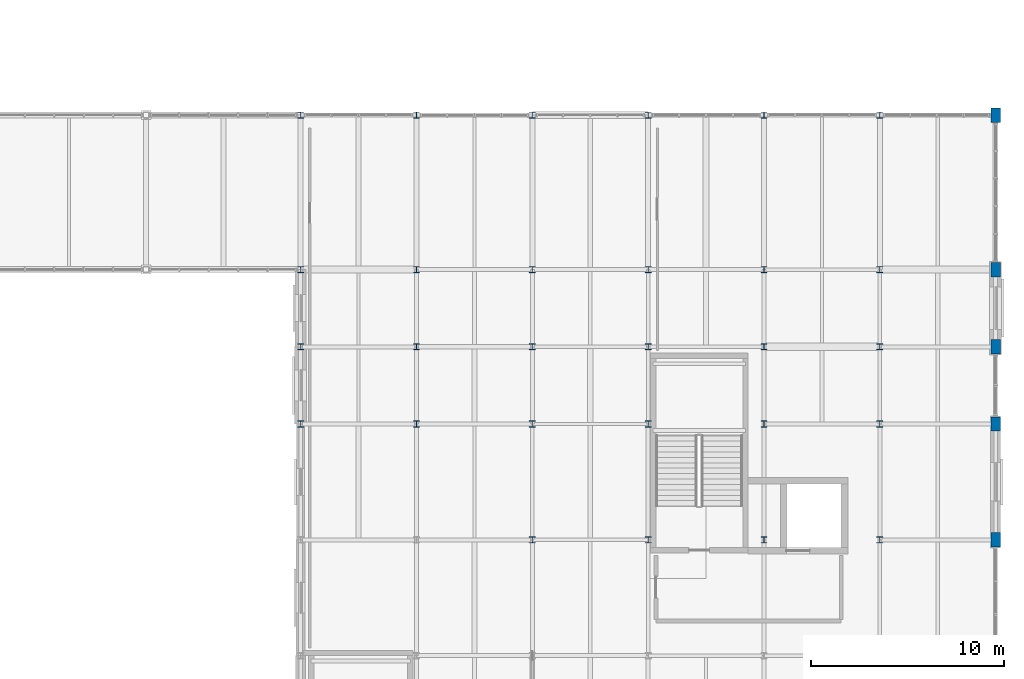
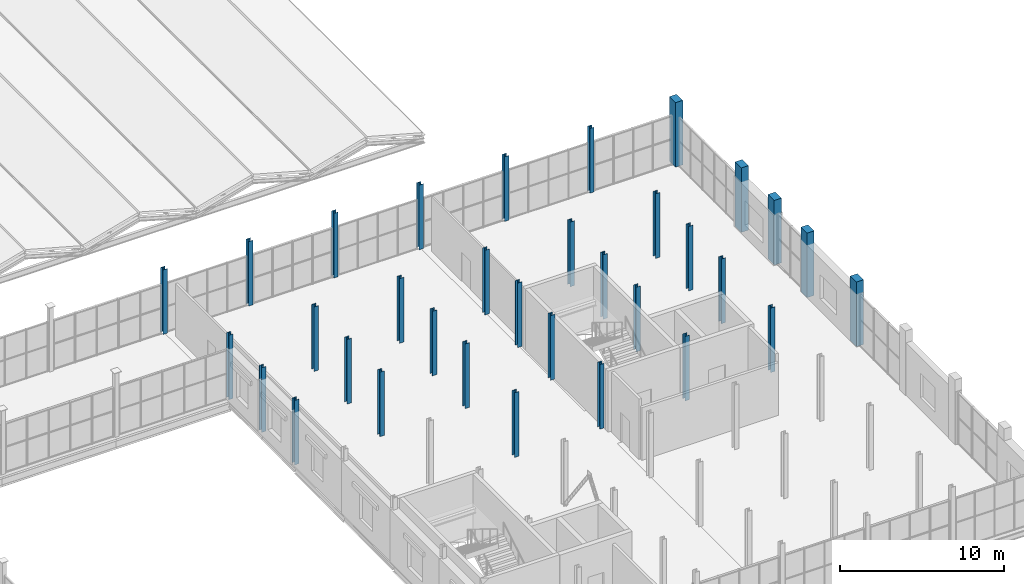
# One storey, part 11 of 114: 33 columns.
"""IFC4 building model written with IfcOpenShell, lengths in metres."""

from ifc_helpers import new_model, si_unit, direction, frame, origin, origin_2d, place, context, subcontext, project, spatial, rectangle, i_section, extrude, material, material_profile, profile_set, type_object, element, save


model = new_model("IFC4")

# Units and contexts
model_context = context("Model", 3, precision=1e-05, world=origin(), true_north=direction((0.0, 1.0)))
body_context = subcontext(model_context, "Body", "Model", "MODEL_VIEW")
ifc_project = project(units=[si_unit("LENGTHUNIT", "METRE"), si_unit("AREAUNIT", "SQUARE_METRE"), si_unit("VOLUMEUNIT", "CUBIC_METRE"), si_unit("PLANEANGLEUNIT", "RADIAN"), si_unit("MASSUNIT", "GRAM", prefix="KILO")], contexts=[model_context])

# Site, building, storey
site_placement = place(None, origin())
site = spatial("IfcSite", under=ifc_project, at=site_placement, CompositionType="ELEMENT")
building_placement = place(site_placement, origin())
building = spatial("IfcBuilding", under=site, at=building_placement, Name="Verrall Gate Interchange", CompositionType="ELEMENT")
storey_placement = place(building_placement, frame((0.0, 0.0, 6.60009765625)))
storey = spatial("IfcBuildingStorey", under=building, at=storey_placement, Name="L02", CompositionType="ELEMENT", Elevation=6.60009765625)

# Columns
ifc_material_1 = material(Name="Concrete CSA A23.1 40 MPa (Class C-1)", Category="concrete")
ifc_material_profile_1 = material_profile(ifc_material_1, rectangle(XDim=0.5, YDim=0.75, at=origin_2d()), Name="RC500x750")
ifc_profile_set_1 = profile_set([ifc_material_profile_1], Name="Concrete CSA A23.1 40 MPa (Class C-1)")
column_type_1 = type_object("IfcColumnType", Name="C-05 Pilaster RC500x750", PredefinedType="PILASTER", material=ifc_profile_set_1)
for number, where, z_axis, x_axis, name in (
    (1, (168.0, 34.0, 0.0), (0.0, 0.0, 1.0), (1.0, 0.0, 0.0), "L02 Column COL-L02-1491 (C-05)"),
    (2, (168.0, 40.0, 0.0), (0.0, 0.0, 1.0), (1.0, 0.0, 0.0), "L02 Column COL-L02-1496 (C-05)"),
    (3, (168.0, 44.0, 0.0), (0.0, 0.0, 1.0), (1.0, 0.0, 0.0), "L02 Column COL-L02-1501 (C-05)"),
    (4, (168.0, 48.0, 0.0), (0.0, 0.0, 1.0), (1.0, 0.0, 0.0), "L02 Column COL-L02-1506 (C-05)"),
    (5, (168.0, 56.0, 0.0), (0.0, 0.0, 1.0), (1.0, 0.0, 0.0), "L02 Column COL-L02-1510 (C-05)"),
):
    element("IfcColumn", number, at=place(storey_placement, frame(where, z_axis=z_axis, x_axis=x_axis)), inside=storey, type_object=column_type_1, Name=name, PredefinedType="PILASTER", context=body_context, shape_type="SweptSolid", body=[
        extrude(rectangle(XDim=0.5, YDim=0.75, at=origin_2d()), origin(), (0.0, 0.0, 1.0), 4.7998046875),
    ])
ifc_material_2 = material(Name="Structural Steel CSA G40.21 350W", Category="steel")
ifc_material_profile_2 = material_profile(ifc_material_2, i_section(OverallWidth=0.306884765625, OverallDepth=0.31396484375, WebThickness=0.011962890625, FlangeThickness=0.018798828125, FilletRadius=0.013916015625, at=origin_2d()), Name="W310x118")
ifc_profile_set_2 = profile_set([ifc_material_profile_2], Name="Structural Steel CSA G40.21 350W")
column_type_2 = type_object("IfcColumnType", Name="C-09 Column W310x118", PredefinedType="COLUMN", material=ifc_profile_set_2)
for number, where, z_axis, x_axis, name in (
    (6, (132.0, 40.0, 0.0), (0.0, 0.0, 1.0), (1.0, 0.0, 0.0), "L02 Column COL-L02-1238 (C-09)"),
    (7, (132.0, 44.0, 0.0), (0.0, 0.0, 1.0), (1.0, 0.0, 0.0), "L02 Column COL-L02-1243 (C-09)"),
    (8, (132.0, 48.0, 0.0), (0.0, 0.0, 1.0), (1.0, 0.0, 0.0), "L02 Column COL-L02-1248 (C-09)"),
    (9, (132.0, 56.0, 0.0), (0.0, 0.0, 1.0), (1.0, 0.0, 0.0), "L02 Column COL-L02-1252 (C-09)"),
    (10, (138.0, 40.0, 0.0), (0.0, 0.0, 1.0), (1.0, 0.0, 0.0), "L02 Column COL-L02-1281 (C-09)"),
    (11, (138.0, 44.0, 0.0), (0.0, 0.0, 1.0), (1.0, 0.0, 0.0), "L02 Column COL-L02-1286 (C-09)"),
    (12, (138.0, 48.0, 0.0), (0.0, 0.0, 1.0), (1.0, 0.0, 0.0), "L02 Column COL-L02-1291 (C-09)"),
    (13, (138.0, 56.0, 0.0), (0.0, 0.0, 1.0), (1.0, 0.0, 0.0), "L02 Column COL-L02-1295 (C-09)"),
    (14, (144.0, 34.0, 0.0), (0.0, 0.0, 1.0), (1.0, 0.0, 0.0), "L02 Column COL-L02-1319 (C-09)"),
    (15, (144.0, 40.0, 0.0), (0.0, 0.0, 1.0), (1.0, 0.0, 0.0), "L02 Column COL-L02-1324 (C-09)"),
    (16, (144.0, 44.0, 0.0), (0.0, 0.0, 1.0), (1.0, 0.0, 0.0), "L02 Column COL-L02-1329 (C-09)"),
    (17, (144.0, 48.0, 0.0), (0.0, 0.0, 1.0), (1.0, 0.0, 0.0), "L02 Column COL-L02-1334 (C-09)"),
    (18, (144.0, 56.0, 0.0), (0.0, 0.0, 1.0), (1.0, 0.0, 0.0), "L02 Column COL-L02-1338 (C-09)"),
    (19, (150.0, 34.0, 0.0), (0.0, 0.0, 1.0), (1.0, 0.0, 0.0), "L02 Column COL-L02-1362 (C-09)"),
    (20, (150.0, 40.0, 0.0), (0.0, 0.0, 1.0), (1.0, 0.0, 0.0), "L02 Column COL-L02-1367 (C-09)"),
    (21, (150.0, 44.0, 0.0), (0.0, 0.0, 1.0), (1.0, 0.0, 0.0), "L02 Column COL-L02-1372 (C-09)"),
    (22, (150.0, 48.0, 0.0), (0.0, 0.0, 1.0), (1.0, 0.0, 0.0), "L02 Column COL-L02-1377 (C-09)"),
    (23, (150.0, 56.0, 0.0), (0.0, 0.0, 1.0), (1.0, 0.0, 0.0), "L02 Column COL-L02-1381 (C-09)"),
    (24, (156.0, 34.0, 0.0), (0.0, 0.0, 1.0), (1.0, 0.0, 0.0), "L02 Column COL-L02-1405 (C-09)"),
    (25, (156.0, 40.0, 0.0), (0.0, 0.0, 1.0), (1.0, 0.0, 0.0), "L02 Column COL-L02-1410 (C-09)"),
    (26, (156.0, 44.0, 0.0), (0.0, 0.0, 1.0), (1.0, 0.0, 0.0), "L02 Column COL-L02-1415 (C-09)"),
    (27, (156.0, 48.0, 0.0), (0.0, 0.0, 1.0), (1.0, 0.0, 0.0), "L02 Column COL-L02-1420 (C-09)"),
    (28, (156.0, 56.0, 0.0), (0.0, 0.0, 1.0), (1.0, 0.0, 0.0), "L02 Column COL-L02-1424 (C-09)"),
    (29, (162.0, 34.0, 0.0), (0.0, 0.0, 1.0), (1.0, 0.0, 0.0), "L02 Column COL-L02-1448 (C-09)"),
    (30, (162.0, 40.0, 0.0), (0.0, 0.0, 1.0), (1.0, 0.0, 0.0), "L02 Column COL-L02-1453 (C-09)"),
    (31, (162.0, 44.0, 0.0), (0.0, 0.0, 1.0), (1.0, 0.0, 0.0), "L02 Column COL-L02-1458 (C-09)"),
    (32, (162.0, 48.0, 0.0), (0.0, 0.0, 1.0), (1.0, 0.0, 0.0), "L02 Column COL-L02-1463 (C-09)"),
    (33, (162.0, 56.0, 0.0), (0.0, 0.0, 1.0), (1.0, 0.0, 0.0), "L02 Column COL-L02-1467 (C-09)"),
):
    element("IfcColumn", number, at=place(storey_placement, frame(where, z_axis=z_axis, x_axis=x_axis)), inside=storey, type_object=column_type_2, Name=name, PredefinedType="COLUMN", context=body_context, shape_type="SweptSolid", body=[
        extrude(i_section(OverallWidth=0.306884765625, OverallDepth=0.31396484375, WebThickness=0.011962890625, FlangeThickness=0.018798828125, FilletRadius=0.013916015625, at=origin_2d()), origin(), (0.0, 0.0, 1.0), 4.7998046875),
    ])

save(model, "model.ifc")
